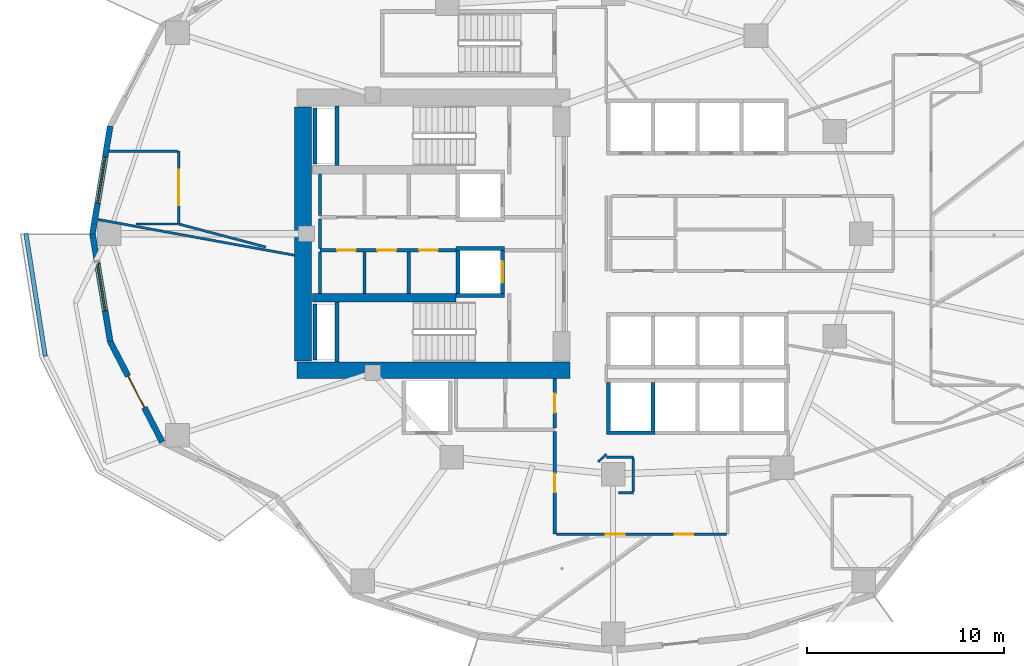
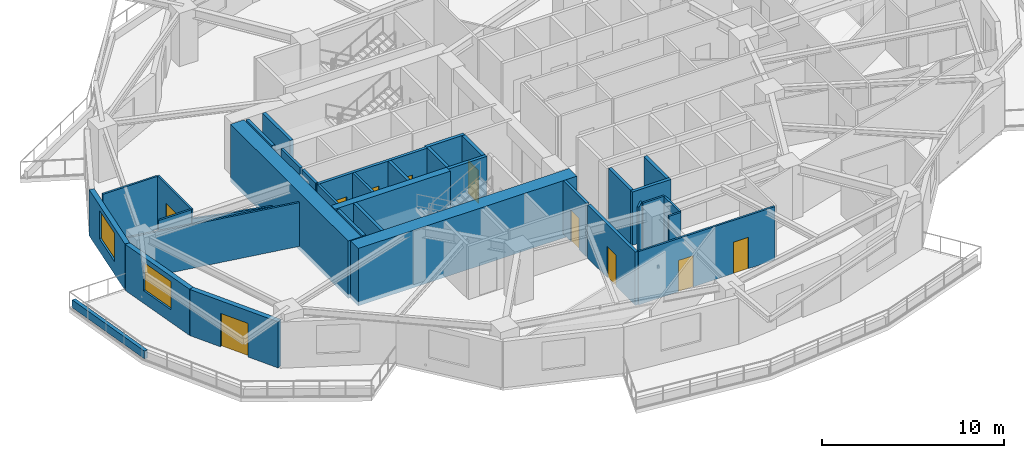
# One storey, part 3 of 16: 36 walls, 10 doors, 2 windows, 12 openings.
"""IFC4 building model written with IfcOpenShell, lengths in metres."""

import ifcopenshell
import ifcopenshell.guid

model = None  # the IFC model being written
_history = None  # IfcOwnerHistory: only IFC2X3 demands one
_inside = {}  # id of a spatial element -> (the spatial element, [elements in it])
_under = {}  # id of a project, library or spatial element -> (it, [spatial elements below it])
_declared = {}  # id of a project -> (the project, [libraries it declares])
_typed = {}  # id of a type object -> (the type object, [elements of that type])
_made_of = {}  # id of a material, layer set ... -> (it, [elements and type objects made of it])


def new_model(schema):
    """Start an empty IFC model of exactly this schema.

    Asked for "IFC4X3", IfcOpenShell would pick the latest addendum, in which some entities
    have other attributes; the version numbers below select the first issue.
    IFC2X3 requires an IfcOwnerHistory on every rooted entity: one is made here for all.
    """
    global model, _history
    if schema == "IFC4X3":
        model = ifcopenshell.file(schema_version=(4, 3, 0, 0))
    else:
        model = ifcopenshell.file(schema=schema)
    _inside.clear()
    _under.clear()
    _declared.clear()
    _typed.clear()
    _made_of.clear()
    _history = None
    if model.schema == "IFC2X3":
        org = make("IfcOrganization", Name="unknown")
        user = make(
            "IfcPersonAndOrganization",
            ThePerson=make("IfcPerson", FamilyName="unknown"),
            TheOrganization=org,
        )
        app = make(
            "IfcApplication",
            ApplicationDeveloper=org,
            Version="unknown",
            ApplicationFullName="unknown",
            ApplicationIdentifier="unknown",
        )
        _history = make(
            "IfcOwnerHistory",
            OwningUser=user,
            OwningApplication=app,
            ChangeAction="ADDED",
            CreationDate=0,
        )
    return model


def make(cls, **values):
    """One entity of the class cls with the attributes given. An attribute that is None is left unset."""
    return model.create_entity(
        cls, **{name: value for name, value in values.items() if value is not None}
    )


def rooted(cls, **values):
    """An entity with a GlobalId (a new one), such as an element, a storey or a relation."""
    return make(cls, GlobalId=ifcopenshell.guid.new(), OwnerHistory=_history, **values)


def si_unit(unit_type, name, prefix=None):
    """IfcSIUnit, for example si_unit("LENGTHUNIT", "METRE", prefix="MILLI")."""
    return make("IfcSIUnit", UnitType=unit_type, Prefix=prefix, Name=name)


def assignment(units):
    """IfcUnitAssignment: the units of a project."""
    return None if units is None else make("IfcUnitAssignment", Units=units)


def point(xyz):
    """IfcCartesianPoint."""
    return None if xyz is None else make("IfcCartesianPoint", Coordinates=xyz)


def direction(xyz):
    """IfcDirection."""
    return None if xyz is None else make("IfcDirection", DirectionRatios=xyz)


def frame(location, z_axis=None, x_axis=None):
    """IfcAxis2Placement3D, a coordinate frame: its origin and axes. An axis left out is left unset."""
    return make(
        "IfcAxis2Placement3D",
        Location=point(location),
        Axis=direction(z_axis),
        RefDirection=direction(x_axis),
    )


def frame_2d(location, x_axis=None):
    """IfcAxis2Placement2D, a coordinate frame in the plane: its origin and x axis."""
    return make(
        "IfcAxis2Placement2D", Location=point(location), RefDirection=direction(x_axis)
    )


def origin():
    """The frame at (0, 0, 0) with its axes left unset."""
    return frame((0.0, 0.0, 0.0))


def place(relative_to, where):
    """IfcLocalPlacement: puts the frame where relative to a parent placement (None: the world)."""
    return make(
        "IfcLocalPlacement", PlacementRelTo=relative_to, RelativePlacement=where
    )


def context(
    kind, dimensions, precision=None, world=None, true_north=None, identifier=None
):
    """IfcGeometricRepresentationContext, for example the 3D "Model" context."""
    return make(
        "IfcGeometricRepresentationContext",
        ContextIdentifier=identifier,
        ContextType=kind,
        CoordinateSpaceDimension=dimensions,
        Precision=precision,
        WorldCoordinateSystem=world,
        TrueNorth=true_north,
    )


def subcontext(parent, identifier, kind, view, scale=None):
    """IfcGeometricRepresentationSubContext, for example "Body" below "Model"."""
    return make(
        "IfcGeometricRepresentationSubContext",
        ContextIdentifier=identifier,
        ContextType=kind,
        ParentContext=parent,
        TargetScale=scale,
        TargetView=view,
    )


def project(units=None, contexts=None):
    """IfcProject with its units and contexts."""
    return rooted(
        "IfcProject",
        Name="project",
        RepresentationContexts=contexts,
        UnitsInContext=assignment(units),
    )


def spatial(cls, under=None, at=None, **own):
    """A site, building, storey or space (cls), placed at a placement, below another one or the project."""
    s = rooted(cls, ObjectPlacement=at, **own)
    if under is not None:
        _under.setdefault(under.id(), (under, []))[1].append(s)
    return s


def profile(cls, at=None, kind="AREA", **sizes):
    """A parametric profile (cls). Its sizes go by their IFC names, for example OverallWidth=200.0."""
    return make(cls, ProfileType=kind, Position=at, **sizes)


def rectangle(**sizes):
    """IfcRectangleProfileDef."""
    return profile("IfcRectangleProfileDef", **sizes)


def extrude(swept, where, along, depth):
    """IfcExtrudedAreaSolid: the profile swept, set in the frame where, extruded along a direction by depth."""
    return make(
        "IfcExtrudedAreaSolid",
        SweptArea=swept,
        Position=where,
        ExtrudedDirection=direction(along),
        Depth=depth,
    )


def shape(context_of_items, identifier, shape_type, items):
    """IfcShapeRepresentation: the items that make up one representation, for example the "Body"."""
    return make(
        "IfcShapeRepresentation",
        ContextOfItems=context_of_items,
        RepresentationIdentifier=identifier,
        RepresentationType=shape_type,
        Items=items,
    )


def material(Name=None, Category=None):
    """IfcMaterial."""
    return make("IfcMaterial", Name=Name, Category=Category)


def layer(
    of_material, thickness, ventilated=None, Name=None, Category=None, Priority=None
):
    """IfcMaterialLayer: one layer of a wall or slab, of a material (None: an air gap)."""
    return make(
        "IfcMaterialLayer",
        Material=of_material,
        LayerThickness=thickness,
        IsVentilated=ventilated,
        Name=Name,
        Category=Category,
        Priority=Priority,
    )


def layer_set(layers, Name=None):
    """IfcMaterialLayerSet."""
    return make("IfcMaterialLayerSet", MaterialLayers=layers, LayerSetName=Name)


def made_of(thing, what):
    """Note that an element or type object is made of a material, layer set ...; save() writes the relation."""
    if what is not None:
        _made_of.setdefault(what.id(), (what, []))[1].append(thing)
    return thing


def type_object(cls, material=None, **own):
    """A type object (cls), such as IfcWallType, which elements share."""
    return made_of(rooted(cls, **own), material)


def element(
    cls,
    number,
    at=None,
    inside=None,
    cuts=None,
    type_object=None,
    material=None,
    context=None,
    identifier="Body",
    shape_type=None,
    held_by="IfcProductDefinitionShape",
    body=None,
    shapes=None,
    **own,
):
    """One element of the class cls, such as IfcWall. Its Tag is "e" and its number.

    at: its placement. inside: the storey or other place that contains it. cuts: it is an
    opening in that element (IfcRelVoidsElement). A single representation is given by context,
    identifier, shape_type and body (its items); several are given by shapes. held_by: the class
    of the entity that holds the representations. save() writes the other relations.
    """
    e = rooted(cls, Tag="e%d" % number, ObjectPlacement=at, **own)
    if body is not None:
        shapes = [shape(context, identifier, shape_type, body)]
    if shapes is not None:
        e.Representation = make(held_by, Representations=shapes)
    if inside is not None:
        _inside.setdefault(inside.id(), (inside, []))[1].append(e)
    if cuts is not None:
        rooted(
            "IfcRelVoidsElement", RelatingBuildingElement=cuts, RelatedOpeningElement=e
        )
    if type_object is not None:
        _typed.setdefault(type_object.id(), (type_object, []))[1].append(e)
    return made_of(e, material)


def fill(opening, filler):
    """IfcRelFillsElement: the door or window that sits in an opening."""
    return rooted(
        "IfcRelFillsElement",
        RelatingOpeningElement=opening,
        RelatedBuildingElement=filler,
    )


def aggregate(whole, parts):
    """IfcRelAggregates: a whole, such as a stair, and the parts it consists of."""
    return rooted("IfcRelAggregates", RelatingObject=whole, RelatedObjects=parts)


def save(model, path):
    """Write the relations noted so far, then the file.

    IfcRelAggregates (storeys below a building ...), IfcRelContainedInSpatialStructure (elements
    in a storey), IfcRelDefinesByType, IfcRelAssociatesMaterial and IfcRelDeclares: one each for
    every whole, place, type object, material and project.
    """
    for whole, parts in _under.values():
        aggregate(whole, parts)
    for where, things in _inside.values():
        rooted(
            "IfcRelContainedInSpatialStructure",
            RelatedElements=things,
            RelatingStructure=where,
        )
    for kind, things in _typed.values():
        rooted("IfcRelDefinesByType", RelatedObjects=things, RelatingType=kind)
    for what, things in _made_of.values():
        rooted("IfcRelAssociatesMaterial", RelatedObjects=things, RelatingMaterial=what)
    for by, libraries in _declared.values():
        rooted("IfcRelDeclares", RelatingContext=by, RelatedDefinitions=libraries)
    model.write(path)


model = new_model("IFC4")

# Units and contexts
model_context = context("Model", 3, precision=1e-05, world=origin(), true_north=direction((0.0, 1.0)))
body_context = subcontext(model_context, "Body", "Model", "MODEL_VIEW")
ifc_project = project(units=[si_unit("LENGTHUNIT", "METRE"), si_unit("AREAUNIT", "SQUARE_METRE"), si_unit("VOLUMEUNIT", "CUBIC_METRE"), si_unit("PLANEANGLEUNIT", "RADIAN"), si_unit("MASSUNIT", "GRAM", prefix="KILO")], contexts=[model_context])

# Site, building, storey
site_placement = place(None, origin())
site = spatial("IfcSite", under=ifc_project, at=site_placement, CompositionType="ELEMENT")
building_placement = place(site_placement, origin())
building = spatial("IfcBuilding", under=site, at=building_placement, Name="Kolvaren Gate Tower and Convention Centre", CompositionType="ELEMENT")
storey_placement = place(building_placement, frame((0.0, 0.0, 65.0)))
storey = spatial("IfcBuildingStorey", under=building, at=storey_placement, Name="L15", CompositionType="ELEMENT", Elevation=65.0)

# Wall, openings, doors
ifc_material_1 = material(Name="Autoclaved Aerated Masonry Blockwork Class 4 (4.0 MPa)", Category="masonry")
ifc_layer_1 = layer(ifc_material_1, 0.179931640625)
ifc_layer_set_1 = layer_set([ifc_layer_1], Name="Autoclaved Aerated Masonry Blockwork Class 4 (4.0 MPa)")
wall_type_1 = type_object("IfcWallType", Name="ARCH-WL-COMP-180", PredefinedType="SOLIDWALL", material=ifc_layer_set_1)
wall_1_placement = place(storey_placement, frame((15.25, 26.159912109375, 0.0), z_axis=(0.0, 0.0, 1.0), x_axis=(1.0, 0.0, 0.0)))
wall_1 = element("IfcWall", 1, at=wall_1_placement, inside=storey, type_object=wall_type_1, Name="Interior Partition WL-L15-INT-005", PredefinedType="SOLIDWALL", context=body_context, shape_type="SweptSolid", body=[
    extrude(rectangle(XDim=6.89990234375, YDim=0.179931640625, at=frame_2d((3.449951171875, 0.0))), origin(), (0.0, 0.0, 1.0), 3.570068359375),
])
opening_1_placement = place(wall_1_placement, frame((5.02001953125, 0.0, 0.0)))
opening_1 = element("IfcOpeningElement", 2, at=opening_1_placement, cuts=wall_1, Name="Opening DR-01", PredefinedType="OPENING", context=body_context, shape_type="SweptSolid", body=[
    extrude(rectangle(XDim=0.949951171875, YDim=2.10009765625, at=frame_2d((0.47509765625, 1.050048828125))), frame((0.0, 0.099853515625, 0.0), z_axis=(0.0, -1.0, 0.0), x_axis=(1.0, 0.0, 0.0)), (0.0, 0.0, 1.0), 0.199951171875),
])
opening_2_placement = place(wall_1_placement, frame((0.85498046875, 0.0, 0.0)))
opening_2 = element("IfcOpeningElement", 3, at=opening_2_placement, cuts=wall_1, Name="Opening DR-01", PredefinedType="OPENING", context=body_context, shape_type="SweptSolid", body=[
    extrude(rectangle(XDim=0.949951171875, YDim=2.10009765625, at=frame_2d((0.47509765625, 1.050048828125))), frame((0.0, 0.099853515625, 0.0), z_axis=(0.0, -1.0, 0.0), x_axis=(1.0, 0.0, 0.0)), (0.0, 0.0, 1.0), 0.199951171875),
])
opening_3_placement = place(wall_1_placement, frame((2.89990234375, 0.0, 0.0)))
opening_3 = element("IfcOpeningElement", 4, at=opening_3_placement, cuts=wall_1, Name="Opening DR-01", PredefinedType="OPENING", context=body_context, shape_type="SweptSolid", body=[
    extrude(rectangle(XDim=0.949951171875, YDim=2.10009765625, at=frame_2d((0.47509765625, 1.050048828125))), frame((0.0, 0.099853515625, 0.0), z_axis=(0.0, -1.0, 0.0), x_axis=(1.0, 0.0, 0.0)), (0.0, 0.0, 1.0), 0.199951171875),
])
ifc_material_2 = material(Name="Painted Architectural Steelwork ASTM A500 Grade C 345 MPa", Category="steel")
door_type_1 = type_object("IfcDoorType", Name="ARCH-DR-RISER-950", OperationType="SINGLE_SWING_RIGHT", PredefinedType="DOOR", material=ifc_material_2)
door_1_placement = place(opening_1_placement, origin())
door_1 = element("IfcDoor", 5, at=door_1_placement, inside=storey, type_object=door_type_1, Name="Domestic Water Meter Closet Door", OperationType="SINGLE_SWING_RIGHT", OverallHeight=2.10009765625, OverallWidth=0.949951171875, PredefinedType="DOOR", context=body_context, shape_type="SweptSolid", body=[
    extrude(rectangle(XDim=0.949951171875, YDim=2.10009765625, at=frame_2d((0.47509765625, 1.050048828125))), frame((0.0, 0.02490234375, 0.0), z_axis=(0.0, -1.0, 0.0), x_axis=(1.0, 0.0, 0.0)), (0.0, 0.0, 1.0), 0.050048828125),
])
fill(opening_1, door_1)
door_2_placement = place(opening_2_placement, origin())
door_2 = element("IfcDoor", 6, at=door_2_placement, inside=storey, type_object=door_type_1, Name="Beverage Service Pantry Door", OperationType="SINGLE_SWING_LEFT", OverallHeight=2.10009765625, OverallWidth=0.949951171875, PredefinedType="DOOR", context=body_context, shape_type="SweptSolid", body=[
    extrude(rectangle(XDim=0.949951171875, YDim=2.10009765625, at=frame_2d((0.47509765625, 1.050048828125))), frame((0.0, 0.02490234375, 0.0), z_axis=(0.0, -1.0, 0.0), x_axis=(1.0, 0.0, 0.0)), (0.0, 0.0, 1.0), 0.050048828125),
])
fill(opening_2, door_2)
door_3_placement = place(opening_3_placement, origin())
door_3 = element("IfcDoor", 7, at=door_3_placement, inside=storey, type_object=door_type_1, Name="Archive Supply Closet Door", OperationType="SINGLE_SWING_RIGHT", OverallHeight=2.10009765625, OverallWidth=0.949951171875, PredefinedType="DOOR", context=body_context, shape_type="SweptSolid", body=[
    extrude(rectangle(XDim=0.949951171875, YDim=2.10009765625, at=frame_2d((0.47509765625, 1.050048828125))), frame((0.0, 0.02490234375, 0.0), z_axis=(0.0, -1.0, 0.0), x_axis=(1.0, 0.0, 0.0)), (0.0, 0.0, 1.0), 0.050048828125),
])
fill(opening_3, door_3)

# Wall
wall_2_placement = place(storey_placement, frame((19.75, 23.9619140625, 0.0), z_axis=(0.0, 0.0, 1.0), x_axis=(0.0, 1.0, 0.0)))
element("IfcWall", 8, at=wall_2_placement, inside=storey, type_object=wall_type_1, Name="Interior Partition WL-L15-INT-007", PredefinedType="SOLIDWALL", context=body_context, shape_type="SweptSolid", body=[
    extrude(rectangle(XDim=2.106201171875, YDim=0.179931640625, at=frame_2d((1.05322265625, 0.0))), origin(), (0.0, 0.0, 1.0), 3.570068359375),
])

# Wall, opening, door
wall_3_placement = place(storey_placement, frame((27.14990234375, 11.75, 0.0), z_axis=(0.0, 0.0, 1.0), x_axis=(0.0, 1.0, 0.0)))
wall_3 = element("IfcWall", 9, at=wall_3_placement, inside=storey, type_object=wall_type_1, Name="Interior Partition WL-L15-INT-014", PredefinedType="SOLIDWALL", context=body_context, shape_type="SweptSolid", body=[
    extrude(rectangle(XDim=5.2080078125, YDim=0.179931640625, at=frame_2d((2.60400390625, 0.0))), origin(), (0.0, 0.0, 1.0), 3.570068359375),
])
opening_4_placement = place(wall_3_placement, frame((2.12890625, 0.0, 0.0)))
opening_4 = element("IfcOpeningElement", 10, at=opening_4_placement, cuts=wall_3, Name="Opening DR-01", PredefinedType="OPENING", context=body_context, shape_type="SweptSolid", body=[
    extrude(rectangle(XDim=0.949951171875, YDim=2.10009765625, at=frame_2d((0.47509765625, 1.050048828125))), frame((0.0, 0.099853515625, 0.0), z_axis=(0.0, -1.0, 0.0), x_axis=(1.0, 0.0, 0.0)), (0.0, 0.0, 1.0), 0.199951171875),
])
door_4_placement = place(opening_4_placement, origin())
door_4 = element("IfcDoor", 11, at=door_4_placement, inside=storey, type_object=door_type_1, Name="Open-Plan Office Suite Door", OperationType="SINGLE_SWING_RIGHT", OverallHeight=2.10009765625, OverallWidth=0.949951171875, PredefinedType="DOOR", context=body_context, shape_type="SweptSolid", body=[
    extrude(rectangle(XDim=0.949951171875, YDim=2.10009765625, at=frame_2d((0.47509765625, 1.050048828125))), frame((0.0, 0.02490234375, 0.0), z_axis=(0.0, -1.0, 0.0), x_axis=(1.0, 0.0, 0.0)), (0.0, 0.0, 1.0), 0.050048828125),
])
fill(opening_4, door_4)

wall_4_placement = place(storey_placement, frame((27.14990234375, 17.14208984375, 0.0), z_axis=(0.0, 0.0, 1.0), x_axis=(0.0, 1.0, 0.0)))
wall_4 = element("IfcWall", 12, at=wall_4_placement, inside=storey, type_object=wall_type_1, Name="Interior Partition WL-L15-INT-014 (2)", PredefinedType="SOLIDWALL", context=body_context, shape_type="SweptSolid", body=[
    extrude(rectangle(XDim=2.505859375, YDim=0.179931640625, at=frame_2d((1.2529296875, 0.0))), origin(), (0.0, 0.0, 1.0), 3.570068359375),
])
opening_5_placement = place(wall_4_placement, frame((0.778076171875, 0.0, 0.0)))
opening_5 = element("IfcOpeningElement", 13, at=opening_5_placement, cuts=wall_4, Name="Opening DR-01", PredefinedType="OPENING", context=body_context, shape_type="SweptSolid", body=[
    extrude(rectangle(XDim=0.949951171875, YDim=2.10009765625, at=frame_2d((0.47509765625, 1.050048828125))), frame((0.0, 0.099853515625, 0.0), z_axis=(0.0, -1.0, 0.0), x_axis=(1.0, 0.0, 0.0)), (0.0, 0.0, 1.0), 0.199951171875),
])
door_5_placement = place(opening_5_placement, origin())
door_5 = element("IfcDoor", 14, at=door_5_placement, inside=storey, type_object=door_type_1, Name="Metering Switch Room Door", OperationType="SINGLE_SWING_LEFT", OverallHeight=2.10009765625, OverallWidth=0.949951171875, PredefinedType="DOOR", context=body_context, shape_type="SweptSolid", body=[
    extrude(rectangle(XDim=0.949951171875, YDim=2.10009765625, at=frame_2d((0.47509765625, 1.050048828125))), frame((0.0, 0.02490234375, 0.0), z_axis=(0.0, -1.0, 0.0), x_axis=(1.0, 0.0, 0.0)), (0.0, 0.0, 1.0), 0.050048828125),
])
fill(opening_5, door_5)

# Wall
ifc_material_3 = material(Name="Fire-Rated Acoustic Gypsum Stud Partition", Category="gypsum")
ifc_layer_2 = layer(ifc_material_3, 0.1201171875)
ifc_layer_set_2 = layer_set([ifc_layer_2], Name="Fire-Rated Acoustic Gypsum Stud Partition")
wall_type_2 = type_object("IfcWallType", Name="ARCH-WL-PART-120", PredefinedType="PARTITIONING", material=ifc_layer_set_2)
wall_5_placement = place(storey_placement, frame((29.780029296875, 15.64990234375, 0.0), z_axis=(0.0, 0.0, 1.0), x_axis=(1.0, 0.0, 0.0)))
element("IfcWall", 15, at=wall_5_placement, inside=storey, type_object=wall_type_2, Name="Interior Partition WL-L15-INT-022", PredefinedType="PARTITIONING", context=body_context, shape_type="SweptSolid", body=[
    extrude(rectangle(XDim=1.369873046875, YDim=0.1201171875, at=frame_2d((0.68505859375, 0.0))), origin(), (0.0, 0.0, 1.0), 3.570068359375),
])

# Wall, openings, doors
wall_6_placement = place(storey_placement, frame((27.241943359375, 11.75, 0.0), z_axis=(0.0, 0.0, 1.0), x_axis=(1.0, 0.0, 0.0)))
wall_6 = element("IfcWall", 16, at=wall_6_placement, inside=storey, type_object=wall_type_2, Name="Interior Partition WL-L15-INT-025", PredefinedType="PARTITIONING", context=body_context, shape_type="SweptSolid", body=[
    extrude(rectangle(XDim=8.64599609375, YDim=0.1201171875, at=frame_2d((4.322998046875, 0.0))), origin(), (0.0, 0.0, 1.0), 3.570068359375),
])
opening_6_placement = place(wall_6_placement, frame((2.513916015625, 0.0, 0.0)))
opening_6 = element("IfcOpeningElement", 17, at=opening_6_placement, cuts=wall_6, Name="Opening DR-01", PredefinedType="OPENING", context=body_context, shape_type="SweptSolid", body=[
    extrude(rectangle(XDim=0.949951171875, YDim=2.10009765625, at=frame_2d((0.47509765625, 1.050048828125))), frame((0.0, 0.070068359375, 0.0), z_axis=(0.0, -1.0, 0.0), x_axis=(1.0, 0.0, 0.0)), (0.0, 0.0, 1.0), 0.14013671875),
])
opening_7_placement = place(wall_6_placement, frame((6.01123046875, 0.0, 0.0)))
opening_7 = element("IfcOpeningElement", 18, at=opening_7_placement, cuts=wall_6, Name="Opening DR-01", PredefinedType="OPENING", context=body_context, shape_type="SweptSolid", body=[
    extrude(rectangle(XDim=0.949951171875, YDim=2.10009765625, at=frame_2d((0.47509765625, 1.050048828125))), frame((0.0, 0.070068359375, 0.0), z_axis=(0.0, -1.0, 0.0), x_axis=(1.0, 0.0, 0.0)), (0.0, 0.0, 1.0), 0.14013671875),
])
door_6_placement = place(opening_6_placement, origin())
door_6 = element("IfcDoor", 19, at=door_6_placement, inside=storey, type_object=door_type_1, Name="Legal Chambers Cellular Office Door", OperationType="SINGLE_SWING_LEFT", OverallHeight=2.10009765625, OverallWidth=0.949951171875, PredefinedType="DOOR", context=body_context, shape_type="SweptSolid", body=[
    extrude(rectangle(XDim=0.949951171875, YDim=2.10009765625, at=frame_2d((0.47509765625, 1.050048828125))), frame((0.0, 0.02490234375, 0.0), z_axis=(0.0, -1.0, 0.0), x_axis=(1.0, 0.0, 0.0)), (0.0, 0.0, 1.0), 0.050048828125),
])
fill(opening_6, door_6)
door_7_placement = place(opening_7_placement, origin())
door_7 = element("IfcDoor", 20, at=door_7_placement, inside=storey, type_object=door_type_1, Name="Open-Plan Office Suite Door", OperationType="SINGLE_SWING_RIGHT", OverallHeight=2.10009765625, OverallWidth=0.949951171875, PredefinedType="DOOR", context=body_context, shape_type="SweptSolid", body=[
    extrude(rectangle(XDim=0.949951171875, YDim=2.10009765625, at=frame_2d((0.47509765625, 1.050048828125))), frame((0.0, 0.02490234375, 0.0), z_axis=(0.0, -1.0, 0.0), x_axis=(1.0, 0.0, 0.0)), (0.0, 0.0, 1.0), 0.050048828125),
])
fill(opening_7, door_7)

# Walls
wall_7_placement = place(storey_placement, frame((29.366943359375, 15.422119140625, 0.0), z_axis=(0.0, 0.0, 1.0), x_axis=(0.730667420492, 0.682733564893, 0.0)))
element("IfcWall", 21, at=wall_7_placement, inside=storey, type_object=wall_type_2, Name="Interior Partition WL-L15-INT-045", PredefinedType="PARTITIONING", context=body_context, shape_type="SweptSolid", body=[
    extrude(rectangle(XDim=0.5654296875, YDim=0.1201171875, at=frame_2d((0.28271484375, 0.0))), origin(), (0.0, 0.0, 1.0), 3.570068359375),
])
wall_8_placement = place(storey_placement, frame((30.39111328125, 13.85009765625, 0.0), z_axis=(0.0, 0.0, 1.0), x_axis=(1.0, 0.0, 0.0)))
element("IfcWall", 22, at=wall_8_placement, inside=storey, type_object=wall_type_2, Name="Interior Partition WL-L15-INT-046", PredefinedType="PARTITIONING", context=body_context, shape_type="SweptSolid", body=[
    extrude(rectangle(XDim=0.7587890625, YDim=0.1201171875, at=frame_2d((0.37939453125, 0.0))), origin(), (0.0, 0.0, 1.0), 3.570068359375),
])
wall_9_placement = place(storey_placement, frame((31.14990234375, 13.912109375, 0.0), z_axis=(0.0, 0.0, 1.0), x_axis=(0.0, 1.0, 0.0)))
element("IfcWall", 23, at=wall_9_placement, inside=storey, type_object=wall_type_2, Name="Interior Partition WL-L15-INT-047", PredefinedType="PARTITIONING", context=body_context, shape_type="SweptSolid", body=[
    extrude(rectangle(XDim=1.67578125, YDim=0.1201171875, at=frame_2d((0.837890625, 0.0))), origin(), (0.0, 0.0, 1.0), 3.570068359375),
])
wall_10_placement = place(storey_placement, frame((3.961669921875, 27.72998046875, 0.0), z_axis=(0.0, 0.0, 1.0), x_axis=(0.983849121981, -0.178999735131, 0.0)))
element("IfcWall", 24, at=wall_10_placement, inside=storey, type_object=wall_type_2, Name="Interior Partition WL-L15-INT-048", PredefinedType="PARTITIONING", context=body_context, shape_type="SweptSolid", body=[
    extrude(rectangle(XDim=10.150146484375, YDim=0.1201171875, at=frame_2d((5.0751953125, 0.0))), origin(), (0.0, 0.0, 1.0), 2.93408203125),
])
wall_11_placement = place(storey_placement, frame((8.06103515625, 27.5, 0.0), z_axis=(0.0, 0.0, 1.0), x_axis=(0.96688100249, -0.255227598475, 0.0)))
element("IfcWall", 25, at=wall_11_placement, inside=storey, type_object=wall_type_2, Name="Interior Partition WL-L15-INT-074", PredefinedType="PARTITIONING", context=body_context, shape_type="SweptSolid", body=[
    extrude(rectangle(XDim=4.58203125, YDim=0.1201171875, at=frame_2d((2.291015625, 0.0))), origin(), (0.0, 0.0, 1.0), 2.93408203125),
])

# Wall, opening, door
wall_12_placement = place(storey_placement, frame((8.06103515625, 27.5, 0.0), z_axis=(0.0, 0.0, 1.0), x_axis=(0.0, 1.0, 0.0)))
wall_12 = element("IfcWall", 26, at=wall_12_placement, inside=storey, type_object=wall_type_2, Name="Interior Partition WL-L15-INT-075", PredefinedType="PARTITIONING", context=body_context, shape_type="SweptSolid", body=[
    extrude(rectangle(XDim=3.699951171875, YDim=0.1201171875, at=frame_2d((1.85009765625, 0.0))), origin(), (0.0, 0.0, 1.0), 3.570068359375),
])
opening_8_placement = place(wall_12_placement, frame((0.949951171875, 0.0, 0.0)))
opening_8 = element("IfcOpeningElement", 27, at=opening_8_placement, cuts=wall_12, Name="Opening DH-01", PredefinedType="OPENING", context=body_context, shape_type="SweptSolid", body=[
    extrude(rectangle(XDim=1.800048828125, YDim=2.300048828125, at=frame_2d((0.89990234375, 1.14990234375))), frame((0.0, 0.070068359375, 0.0), z_axis=(0.0, -1.0, 0.0), x_axis=(1.0, 0.0, 0.0)), (0.0, 0.0, 1.0), 0.14013671875),
])
ifc_material_4 = material(Name="FSC Andean Oak Engineered Veneer Door Leaf", Category="wood")
door_type_2 = type_object("IfcDoorType", Name="ARCH-DR-HALL-1800", OperationType="DOUBLE_DOOR_SINGLE_SWING", PredefinedType="DOOR", material=ifc_material_4)
door_8_placement = place(opening_8_placement, origin())
door_8 = element("IfcDoor", 28, at=door_8_placement, inside=storey, type_object=door_type_2, Name="Consultation Meeting Room Door", OperationType="DOUBLE_DOOR_SINGLE_SWING", OverallHeight=2.300048828125, OverallWidth=1.800048828125, PredefinedType="DOOR", context=body_context, shape_type="SweptSolid", body=[
    extrude(rectangle(XDim=1.800048828125, YDim=2.300048828125, at=frame_2d((0.89990234375, 1.14990234375))), frame((0.0, 0.02490234375, 0.0), z_axis=(0.0, -1.0, 0.0), x_axis=(1.0, 0.0, 0.0)), (0.0, 0.0, 1.0), 0.050048828125),
])
fill(opening_8, door_8)

# Walls
wall_13_placement = place(storey_placement, frame((4.53271484375, 31.199951171875, 0.0), z_axis=(0.0, 0.0, 1.0), x_axis=(1.0, 0.0, 0.0)))
element("IfcWall", 29, at=wall_13_placement, inside=storey, type_object=wall_type_2, Name="Interior Partition WL-L15-INT-076", PredefinedType="PARTITIONING", context=body_context, shape_type="SweptSolid", body=[
    extrude(rectangle(XDim=3.46630859375, YDim=0.1201171875, at=frame_2d((1.733154296875, 0.0))), origin(), (0.0, 0.0, 1.0), 3.570068359375),
])
wall_14_placement = place(storey_placement, frame((5.907958984375, 27.5, 0.0), z_axis=(0.0, 0.0, 1.0), x_axis=(1.0, 0.0, 0.0)))
element("IfcWall", 30, at=wall_14_placement, inside=storey, type_object=wall_type_2, Name="Interior Partition WL-L15-INT-077", PredefinedType="PARTITIONING", context=body_context, shape_type="SweptSolid", body=[
    extrude(rectangle(XDim=2.091064453125, YDim=0.1201171875, at=frame_2d((1.04541015625, 0.0))), origin(), (0.0, 0.0, 1.0), 3.570068359375),
])
ifc_material_5 = material(Name="Piedmont Cream Honed Limestone Cladding", Category="masonry")
ifc_layer_3 = layer(ifc_material_5, 0.219970703125)
ifc_layer_set_3 = layer_set([ifc_layer_3], Name="Piedmont Cream Honed Limestone Cladding")
wall_type_3 = type_object("IfcWallType", Name="ARCH-WL-PLANTER-220", PredefinedType="PARAPET", material=ifc_layer_set_3)
wall_15_placement = place(storey_placement, frame((0.305908203125, 27.029296875, 0.0), z_axis=(0.0, 0.0, 1.0), x_axis=(0.15545655238, -0.987842730561, 0.0)))
element("IfcWall", 31, at=wall_15_placement, inside=storey, type_object=wall_type_3, Name="Vertical-Forest Balcony Stone Planter Kerb PK-L15-2.1", PredefinedType="PARAPET", context=body_context, shape_type="SweptSolid", body=[
    extrude(rectangle(XDim=6.318115234375, YDim=0.219970703125, at=frame_2d((3.1591796875, 0.0))), origin(), (0.0, 0.0, 1.0), 0.52001953125),
])
ifc_layer_4 = layer(ifc_material_1, 0.199951171875)
ifc_layer_set_4 = layer_set([ifc_layer_4], Name="Autoclaved Aerated Masonry Blockwork Class 4 (4.0 MPa)")
wall_type_4 = type_object("IfcWallType", Name="ARCH-WL-SHAFT-200", PredefinedType="SOLIDWALL", material=ifc_layer_set_4)
for number, where, z_axis, x_axis, name in (
    (32, (22.14990234375, 26.260009765625, 0.0), (0.0, 0.0, 1.0), (1.0, 0.0, 0.0), "Elevator FF-02 L15 Fire Shaft Wall N"),
    (33, (22.14990234375, 23.860107421875, 0.0), (0.0, 0.0, 1.0), (1.0, 0.0, 0.0), "Elevator FF-02 L15 Fire Shaft Wall S"),
):
    element("IfcWall", number, at=place(storey_placement, frame(where, z_axis=z_axis, x_axis=x_axis)), inside=storey, type_object=wall_type_4, Name=name, PredefinedType="SOLIDWALL", context=body_context, shape_type="SweptSolid", body=[
        extrude(rectangle(XDim=2.4501953125, YDim=0.199951171875, at=frame_2d((1.22509765625, 0.0))), origin(), (0.0, 0.0, 1.0), 3.570068359375),
    ])
wall_16_placement = place(storey_placement, frame((22.25, 23.969970703125, 0.0), z_axis=(0.0, 0.0, 1.0), x_axis=(0.0, 1.0, 0.0)))
element("IfcWall", 34, at=wall_16_placement, inside=storey, type_object=wall_type_4, Name="Elevator FF-02 L15 Fire Shaft Wall W", PredefinedType="SOLIDWALL", context=body_context, shape_type="SweptSolid", body=[
    extrude(rectangle(XDim=2.179931640625, YDim=0.199951171875, at=frame_2d((1.08984375, 0.0))), origin(), (0.0, 0.0, 1.0), 3.570068359375),
])

# Wall, opening, door
wall_17_placement = place(storey_placement, frame((24.5, 23.969970703125, 0.0), z_axis=(0.0, 0.0, 1.0), x_axis=(0.0, 1.0, 0.0)))
wall_17 = element("IfcWall", 35, at=wall_17_placement, inside=storey, type_object=wall_type_4, Name="Elevator FF-02 L15 Fire Shaft Wall E", PredefinedType="SOLIDWALL", context=body_context, shape_type="SweptSolid", body=[
    extrude(rectangle(XDim=2.179931640625, YDim=0.199951171875, at=frame_2d((1.08984375, 0.0))), origin(), (0.0, 0.0, 1.0), 3.570068359375),
])
opening_9_placement = place(wall_17_placement, frame((0.5400390625, 0.0, 0.0)))
opening_9 = element("IfcOpeningElement", 36, at=opening_9_placement, cuts=wall_17, Name="Opening LD", PredefinedType="OPENING", context=body_context, shape_type="SweptSolid", body=[
    extrude(rectangle(XDim=1.10009765625, YDim=2.199951171875, at=frame_2d((0.550048828125, 1.10009765625))), frame((0.0, 0.10986328125, 0.0), z_axis=(0.0, -1.0, 0.0), x_axis=(1.0, 0.0, 0.0)), (0.0, 0.0, 1.0), 0.219970703125),
])
ifc_material_6 = material(Name="Brushed Stainless Steel Grade 316L", Category="steel")
door_type_3 = type_object("IfcDoorType", Name="ARCH-DR-LIFT-1100", OperationType="SLIDING_TO_LEFT", PredefinedType="DOOR", material=ifc_material_6)
door_9_placement = place(opening_9_placement, origin())
door_9 = element("IfcDoor", 37, at=door_9_placement, inside=storey, type_object=door_type_3, Name="Elevator FF-02 L15 Sliding Landing Door", OperationType="SLIDING_TO_LEFT", OverallHeight=2.199951171875, OverallWidth=1.10009765625, PredefinedType="DOOR", context=body_context, shape_type="SweptSolid", body=[
    extrude(rectangle(XDim=1.10009765625, YDim=2.199951171875, at=frame_2d((0.550048828125, 1.10009765625))), frame((0.0, 0.02490234375, 0.0), z_axis=(0.0, -1.0, 0.0), x_axis=(1.0, 0.0, 0.0)), (0.0, 0.0, 1.0), 0.050048828125),
])
fill(opening_9, door_9)

# Walls
wall_18_placement = place(storey_placement, frame((29.800048828125, 16.89990234375, 0.0), z_axis=(0.0, 0.0, 1.0), x_axis=(1.0, 0.0, 0.0)))
element("IfcWall", 38, at=wall_18_placement, inside=storey, type_object=wall_type_4, Name="Elevator PL-05 L15 Fire Shaft Wall S", PredefinedType="SOLIDWALL", context=body_context, shape_type="SweptSolid", body=[
    extrude(rectangle(XDim=2.449951171875, YDim=0.199951171875, at=frame_2d((1.22509765625, 0.0))), origin(), (0.0, 0.0, 1.0), 3.570068359375),
])
for number, where, z_axis, x_axis, name in (
    (39, (29.89990234375, 17.010009765625, 0.0), (0.0, 0.0, 1.0), (0.0, 1.0, 0.0), "Elevator PL-05 L15 Fire Shaft Wall W"),
    (40, (32.14990234375, 17.010009765625, 0.0), (0.0, 0.0, 1.0), (0.0, 1.0, 0.0), "Elevator PL-05 L15 Fire Shaft Wall E"),
):
    element("IfcWall", number, at=place(storey_placement, frame(where, z_axis=z_axis, x_axis=x_axis)), inside=storey, type_object=wall_type_4, Name=name, PredefinedType="SOLIDWALL", context=body_context, shape_type="SweptSolid", body=[
        extrude(rectangle(XDim=2.429931640625, YDim=0.199951171875, at=frame_2d((1.21484375, 0.0))), origin(), (0.0, 0.0, 1.0), 3.570068359375),
    ])
for number, where, z_axis, x_axis, name in (
    (41, (14.989990234375, 30.550048828125, 0.0), (0.0, 0.0, 1.0), (0.0, 1.0, 0.0), "Vertical Shaft HVR L15 EI-120 Enclosure Wall W"),
    (42, (14.989990234375, 20.60009765625, 0.0), (0.0, 0.0, 1.0), (0.0, 1.0, 0.0), "Vertical Shaft MPR L15 EI-120 Enclosure Wall W"),
):
    element("IfcWall", number, at=place(storey_placement, frame(where, z_axis=z_axis, x_axis=x_axis)), inside=storey, type_object=wall_type_4, Name=name, PredefinedType="SOLIDWALL", context=body_context, shape_type="SweptSolid", body=[
        extrude(rectangle(XDim=2.849853515625, YDim=0.199951171875, at=frame_2d((1.4248046875, 0.0))), origin(), (0.0, 0.0, 1.0), 3.570068359375),
    ])

# Wall, opening, window
ifc_layer_5 = layer(ifc_material_5, 0.300048828125)
ifc_layer_set_5 = layer_set([ifc_layer_5], Name="Piedmont Cream Honed Limestone Cladding")
wall_type_5 = type_object("IfcWallType", Name="ARCH-WL-STONE-300", PredefinedType="SOLIDWALL", material=ifc_layer_set_5)
wall_19_placement = place(storey_placement, frame((3.6875, 27.0, 0.0), z_axis=(0.0, 0.0, 1.0), x_axis=(0.162386212206, 0.986727276447, 0.0)))
wall_19 = element("IfcWall", 43, at=wall_19_placement, inside=storey, type_object=wall_type_5, Name="Tower L15 Honed Stone Spandrel Wall EW-11", PredefinedType="SOLIDWALL", context=body_context, shape_type="SweptSolid", body=[
    extrude(rectangle(XDim=5.5478515625, YDim=0.300048828125, at=frame_2d((2.77392578125, 0.0))), origin(), (0.0, 0.0, 1.0), 3.093017578125),
])
opening_10_placement = place(wall_19_placement, frame((1.573974609375, 0.0, 0.85009765625)))
opening_10 = element("IfcOpeningElement", 44, at=opening_10_placement, cuts=wall_19, Name="Opening W-01", PredefinedType="OPENING", context=body_context, shape_type="SweptSolid", body=[
    extrude(rectangle(XDim=2.39990234375, YDim=1.89990234375, at=frame_2d((1.199951171875, 0.949951171875))), frame((0.0, 0.159912109375, 0.0), z_axis=(0.0, -1.0, 0.0), x_axis=(1.0, 0.0, 0.0)), (0.0, 0.0, 1.0), 0.320068359375),
])
ifc_material_7 = material(Name="Low-E Triple Insulated Glazing Unit 44 mm", Category="glass")
window_type = type_object("IfcWindowType", Name="ARCH-WN-OFF-2400", PartitioningType="SINGLE_PANEL", PredefinedType="WINDOW", material=ifc_material_7)
window_1_placement = place(opening_10_placement, origin())
window_1 = element("IfcWindow", 45, at=window_1_placement, inside=storey, type_object=window_type, Name="Tower L15 Punched Stone Facade Window W-11", OverallHeight=1.89990234375, OverallWidth=2.39990234375, PartitioningType="SINGLE_PANEL", PredefinedType="WINDOW", context=body_context, shape_type="SweptSolid", body=[
    extrude(rectangle(XDim=2.39990234375, YDim=1.89990234375, at=frame_2d((1.199951171875, 0.949951171875))), frame((0.0, 0.030029296875, 0.0), z_axis=(0.0, -1.0, 0.0), x_axis=(1.0, 0.0, 0.0)), (0.0, 0.0, 1.0), 0.06005859375),
])
fill(opening_10, window_1)

wall_20_placement = place(storey_placement, frame((3.6875, 27.0, 0.0), z_axis=(0.0, 0.0, 1.0), x_axis=(0.162386212206, -0.986727276447, 0.0)))
wall_20 = element("IfcWall", 46, at=wall_20_placement, inside=storey, type_object=wall_type_5, Name="Tower L15 Honed Stone Spandrel Wall EW-12", PredefinedType="SOLIDWALL", context=body_context, shape_type="SweptSolid", body=[
    extrude(rectangle(XDim=5.5478515625, YDim=0.300048828125, at=frame_2d((2.77392578125, 0.0))), origin(), (0.0, 0.0, 1.0), 3.093017578125),
])
opening_11_placement = place(wall_20_placement, frame((1.573974609375, 0.0, 0.85009765625)))
opening_11 = element("IfcOpeningElement", 47, at=opening_11_placement, cuts=wall_20, Name="Opening W-01", PredefinedType="OPENING", context=body_context, shape_type="SweptSolid", body=[
    extrude(rectangle(XDim=2.39990234375, YDim=1.89990234375, at=frame_2d((1.199951171875, 0.949951171875))), frame((0.0, 0.159912109375, 0.0), z_axis=(0.0, -1.0, 0.0), x_axis=(1.0, 0.0, 0.0)), (0.0, 0.0, 1.0), 0.320068359375),
])
window_2_placement = place(opening_11_placement, origin())
window_2 = element("IfcWindow", 48, at=window_2_placement, inside=storey, type_object=window_type, Name="Tower L15 Punched Stone Facade Window W-12", OverallHeight=1.89990234375, OverallWidth=2.39990234375, PartitioningType="SINGLE_PANEL", PredefinedType="WINDOW", context=body_context, shape_type="SweptSolid", body=[
    extrude(rectangle(XDim=2.39990234375, YDim=1.89990234375, at=frame_2d((1.199951171875, 0.949951171875))), frame((0.0, 0.030029296875, 0.0), z_axis=(0.0, -1.0, 0.0), x_axis=(1.0, 0.0, 0.0)), (0.0, 0.0, 1.0), 0.06005859375),
])
fill(opening_11, window_2)

# Wall, opening, door
wall_21_placement = place(storey_placement, frame((4.58837890625, 21.52587890625, 0.0), z_axis=(0.0, 0.0, 1.0), x_axis=(0.459800981414, -0.888021991558, 0.0)))
wall_21 = element("IfcWall", 49, at=wall_21_placement, inside=storey, type_object=wall_type_5, Name="Tower L15 Honed Stone Spandrel Wall EW-13", PredefinedType="SOLIDWALL", context=body_context, shape_type="SweptSolid", body=[
    extrude(rectangle(XDim=5.744140625, YDim=0.300048828125, at=frame_2d((2.8720703125, 0.0))), origin(), (0.0, 0.0, 1.0), 3.093017578125),
])
opening_12_placement = place(wall_21_placement, frame((1.971923828125, 0.0, 0.0)))
opening_12 = element("IfcOpeningElement", 50, at=opening_12_placement, cuts=wall_21, Name="Opening DB-01", PredefinedType="OPENING", context=body_context, shape_type="SweptSolid", body=[
    extrude(rectangle(XDim=1.800048828125, YDim=2.25, at=frame_2d((0.89990234375, 1.125))), frame((0.0, 0.159912109375, 0.0), z_axis=(0.0, -1.0, 0.0), x_axis=(1.0, 0.0, 0.0)), (0.0, 0.0, 1.0), 0.320068359375),
])
ifc_material_8 = material(Name="Anodized Architectural Aluminium Alloy 6063-T6", Category="aluminium")
door_type_4 = type_object("IfcDoorType", Name="ARCH-DR-BALC-1800", OperationType="SLIDING_TO_LEFT", PredefinedType="DOOR", material=ifc_material_8)
door_10_placement = place(opening_12_placement, frame((1.800048828125, 0.0, 0.0), z_axis=(0.0, 0.0, 1.0), x_axis=(-1.0, 0.0, 0.0)))
door_10 = element("IfcDoor", 51, at=door_10_placement, inside=storey, type_object=door_type_4, Name="Planted Sky Terrace Access Door DB-L15-13", OperationType="SLIDING_TO_LEFT", OverallHeight=2.25, OverallWidth=1.800048828125, PredefinedType="DOOR", context=body_context, shape_type="SweptSolid", body=[
    extrude(rectangle(XDim=1.800048828125, YDim=2.25, at=frame_2d((0.89990234375, 1.125))), frame((0.0, 0.02490234375, 0.0), z_axis=(0.0, -1.0, 0.0), x_axis=(1.0, 0.0, 0.0)), (0.0, 0.0, 1.0), 0.050048828125),
])
fill(opening_12, door_10)

# Walls
ifc_material_9 = material(Name="Moisture-Resistant Cement-Board Acoustic Partition", Category="gypsum")
ifc_layer_6 = layer(ifc_material_9, 0.14990234375)
ifc_layer_set_6 = layer_set([ifc_layer_6], Name="Moisture-Resistant Cement-Board Acoustic Partition")
wall_type_6 = type_object("IfcWallType", Name="ARCH-WL-WET-150", PredefinedType="PARTITIONING", material=ifc_layer_set_6)
wall_22_placement = place(storey_placement, frame((15.25, 23.9619140625, 0.0), z_axis=(0.0, 0.0, 1.0), x_axis=(0.0, 1.0, 0.0)))
element("IfcWall", 52, at=wall_22_placement, inside=storey, type_object=wall_type_6, Name="Interior Partition WL-L15-INT-006", PredefinedType="PARTITIONING", context=body_context, shape_type="SweptSolid", body=[
    extrude(rectangle(XDim=2.106201171875, YDim=0.14990234375, at=frame_2d((1.05322265625, 0.0))), origin(), (0.0, 0.0, 1.0), 3.570068359375),
])
wall_23_placement = place(storey_placement, frame((15.25, 26.251953125, 0.0), z_axis=(0.0, 0.0, 1.0), x_axis=(0.0, 1.0, 0.0)))
element("IfcWall", 53, at=wall_23_placement, inside=storey, type_object=wall_type_6, Name="Interior Partition WL-L15-INT-006 (2)", PredefinedType="PARTITIONING", context=body_context, shape_type="SweptSolid", body=[
    extrude(rectangle(XDim=1.49609375, YDim=0.14990234375, at=frame_2d((0.748046875, 0.0))), origin(), (0.0, 0.0, 1.0), 3.570068359375),
])
for number, where, z_axis, x_axis, name in (
    (54, (15.25, 27.931884765625, 0.0), (0.0, 0.0, 1.0), (0.0, 1.0, 0.0), "Interior Partition WL-L15-INT-006 (3)"),
    (55, (17.5, 23.9619140625, 0.0), (0.0, 0.0, 1.0), (0.0, 1.0, 0.0), "Interior Partition WL-L15-INT-009"),
):
    element("IfcWall", number, at=place(storey_placement, frame(where, z_axis=z_axis, x_axis=x_axis)), inside=storey, type_object=wall_type_6, Name=name, PredefinedType="PARTITIONING", context=body_context, shape_type="SweptSolid", body=[
        extrude(rectangle(XDim=2.106201171875, YDim=0.14990234375, at=frame_2d((1.05322265625, 0.0))), origin(), (0.0, 0.0, 1.0), 3.570068359375),
    ])
ifc_material_10 = material(Name="Concrete C50/60", Category="concrete")
ifc_layer_7 = layer(ifc_material_10, 0.419921875)
ifc_layer_set_7 = layer_set([ifc_layer_7], Name="Concrete C50/60")
wall_type_7 = type_object("IfcWallType", Name="STR-WL-CONV-420", PredefinedType="SHEAR", material=ifc_layer_set_7)
wall_24_placement = place(storey_placement, frame((14.85009765625, 23.75, -0.280029296875), z_axis=(0.0, 0.0, 1.0), x_axis=(1.0, 0.0, 0.0)))
element("IfcWall", 56, at=wall_24_placement, inside=storey, type_object=wall_type_7, Name="Tower L15 Offset Core Shear Wall WS", PredefinedType="SHEAR", context=body_context, shape_type="SweptSolid", body=[
    extrude(rectangle(XDim=7.2998046875, YDim=0.419921875, at=frame_2d((3.64990234375, 0.0))), origin(), (0.0, 0.0, 1.0), 3.85009765625),
])
ifc_material_11 = material(Name="Concrete C70/85", Category="concrete")
ifc_layer_8 = layer(ifc_material_11, 0.85009765625)
ifc_layer_set_8 = layer_set([ifc_layer_8], Name="Concrete C70/85")
wall_type_8 = type_object("IfcWallType", Name="STR-WL-CORE-850", PredefinedType="SHEAR", material=ifc_layer_set_8)
wall_25_placement = place(storey_placement, frame((14.074951171875, 20.074951171875, -0.280029296875), z_axis=(0.0, 0.0, 1.0), x_axis=(1.0, 0.0, 0.0)))
element("IfcWall", 57, at=wall_25_placement, inside=storey, type_object=wall_type_8, Name="Tower L15 Offset Core Shear Wall S", PredefinedType="SHEAR", context=body_context, shape_type="SweptSolid", body=[
    extrude(rectangle(XDim=13.85009765625, YDim=0.85009765625, at=frame_2d((6.925048828125, 0.0))), origin(), (0.0, 0.0, 1.0), 3.85009765625),
])
wall_26_placement = place(storey_placement, frame((14.375, 20.550048828125, -0.280029296875), z_axis=(0.0, 0.0, 1.0), x_axis=(0.0, 1.0, 0.0)))
element("IfcWall", 58, at=wall_26_placement, inside=storey, type_object=wall_type_8, Name="Tower L15 Offset Core Shear Wall W", PredefinedType="SHEAR", context=body_context, shape_type="SweptSolid", body=[
    extrude(rectangle(XDim=12.89990234375, YDim=0.85009765625, at=frame_2d((6.449951171875, 0.0))), origin(), (0.0, 0.0, 1.0), 3.85009765625),
])
ifc_layer_9 = layer(ifc_material_10, 0.199951171875)
ifc_layer_set_9 = layer_set([ifc_layer_9], Name="Concrete C50/60")
wall_type_9 = type_object("IfcWallType", Name="STR-WL-SHAFT-200", PredefinedType="SHEAR", material=ifc_layer_set_9)
for number, where, z_axis, x_axis, name in (
    (59, (16.10009765625, 30.4619140625, -0.280029296875), (0.0, 0.0, 1.0), (0.0, 1.0, 0.0), "Tower North Exit Stair ST-T1 L15 Structural Shear Enclosure Wall FAR"),
    (60, (16.10009765625, 20.501953125, -0.280029296875), (0.0, 0.0, 1.0), (0.0, 1.0, 0.0), "Tower South Exit Stair ST-T2 L15 Structural Shear Enclosure Wall FAR"),
):
    element("IfcWall", number, at=place(storey_placement, frame(where, z_axis=z_axis, x_axis=x_axis)), inside=storey, type_object=wall_type_9, Name=name, PredefinedType="SHEAR", context=body_context, shape_type="SweptSolid", body=[
        extrude(rectangle(XDim=3.0361328125, YDim=0.199951171875, at=frame_2d((1.51806640625, 0.0))), origin(), (0.0, 0.0, 1.0), 3.85009765625),
    ])

save(model, "model.ifc")
